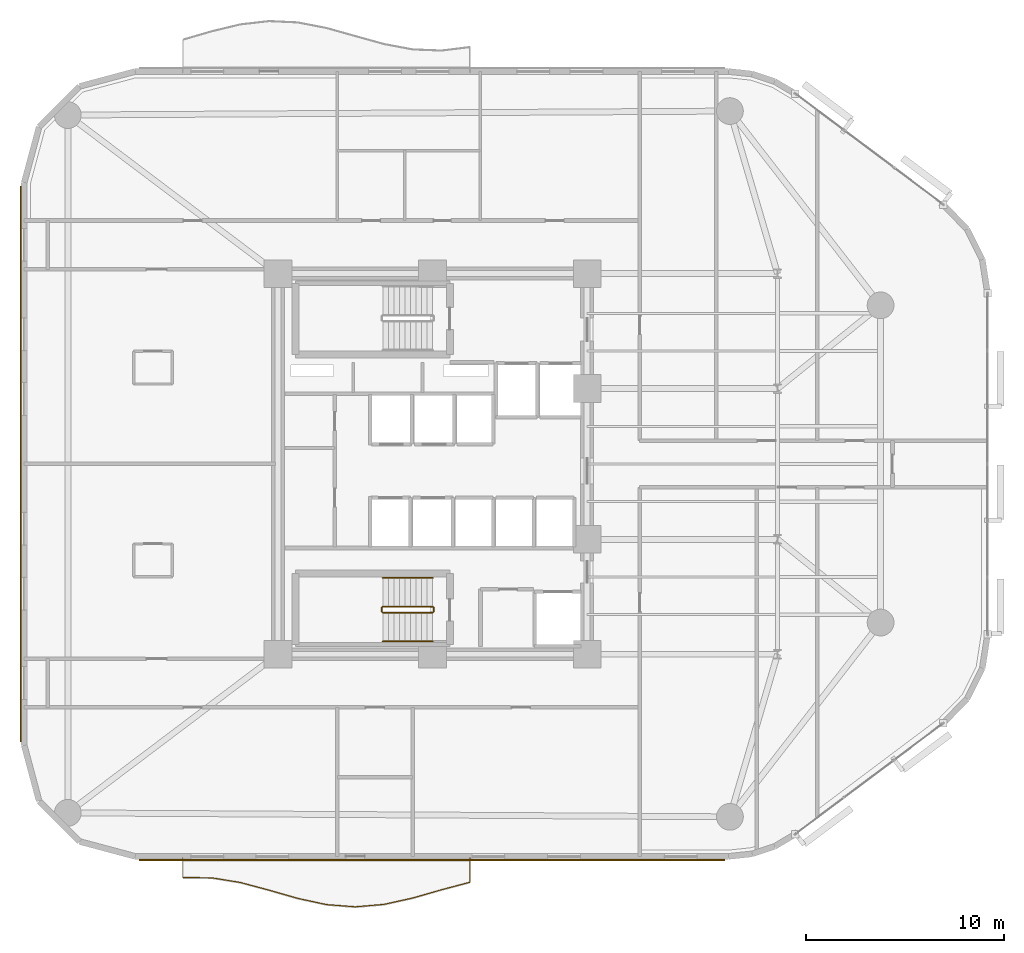
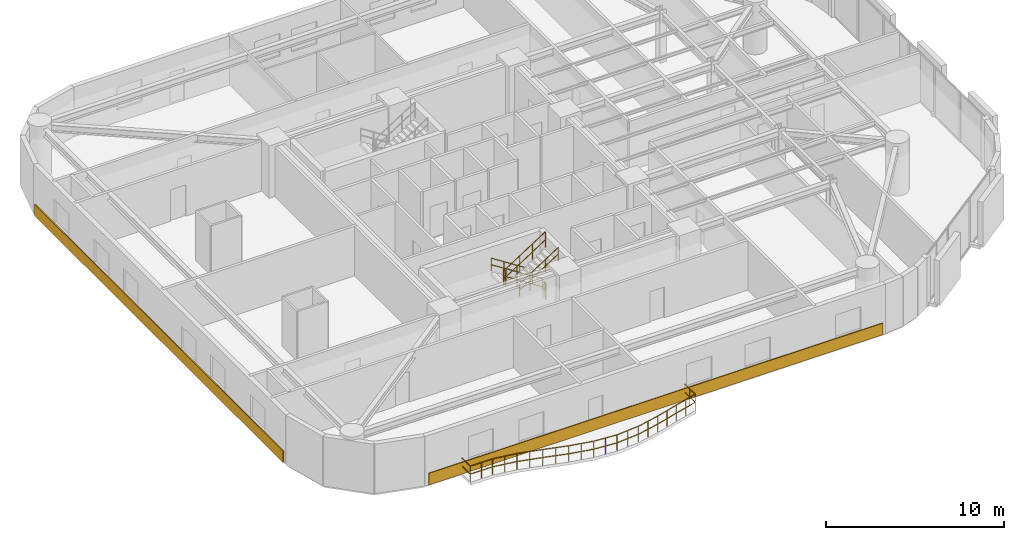
# One storey, part 14 of 16: 7 railings, 2 coverings.
"""IFC4 building model written with IfcOpenShell, lengths in metres."""

from ifc_helpers import new_model, si_unit, direction, frame, origin, origin_2d, place, context, subcontext, project, spatial, rectangle, circle, extrude, material, layer, layer_set, type_object, element, save


model = new_model("IFC4")

# Units and contexts
model_context = context("Model", 3, precision=1e-05, world=origin(), true_north=direction((0.0, 1.0)))
body_context = subcontext(model_context, "Body", "Model", "MODEL_VIEW")
ifc_project = project(units=[si_unit("LENGTHUNIT", "METRE"), si_unit("AREAUNIT", "SQUARE_METRE"), si_unit("VOLUMEUNIT", "CUBIC_METRE"), si_unit("PLANEANGLEUNIT", "RADIAN"), si_unit("MASSUNIT", "GRAM", prefix="KILO")], contexts=[model_context])

# Site, building, storey
site_placement = place(None, origin())
site = spatial("IfcSite", under=ifc_project, at=site_placement, CompositionType="ELEMENT")
building_placement = place(site_placement, origin())
building = spatial("IfcBuilding", under=site, at=building_placement, Name="An Khanh Terracotta Commons", CompositionType="ELEMENT")
storey_placement = place(building_placement, frame((0.0, 0.0, 111.5)))
storey = spatial("IfcBuildingStorey", under=building, at=storey_placement, Name="L29", CompositionType="ELEMENT", Elevation=111.5)

# Coverings
ifc_material_1 = material(Name="Fired Terracotta Rainscreen Cladding", Category="masonry")
ifc_layer = layer(ifc_material_1, 0.06005859375, Name="Fired Terracotta Rainscreen Cladding")
ifc_layer_set = layer_set([ifc_layer], Name="Fired Terracotta Rainscreen Cladding")
covering_type = type_object("IfcCoveringType", Name="COV-SPANDREL-TERRA", PredefinedType="CLADDING", material=ifc_layer_set)
covering_1_placement = place(storey_placement, frame((29.365966796875, 4.02001953125, 0.02001953125), z_axis=(0.0, 0.0, 1.0), x_axis=(1.0, 0.0, 0.0)))
element("IfcCovering", 1, at=covering_1_placement, inside=storey, type_object=covering_type, Name="L29 Terracotta Spandrel Cladding 4", PredefinedType="CLADDING", context=body_context, shape_type="SweptSolid", body=[
    extrude(rectangle(XDim=29.532958984375, YDim=0.06005859375, at=origin_2d()), origin(), (0.0, 0.0, 1.0), 0.800048828125),
])
covering_2_placement = place(storey_placement, frame((8.6201171875, 24.0, 0.02001953125), z_axis=(0.0, 0.0, 1.0), x_axis=(0.0, -1.0, 0.0)))
element("IfcCovering", 2, at=covering_2_placement, inside=storey, type_object=covering_type, Name="L29 Terracotta Spandrel Cladding 24", PredefinedType="CLADDING", context=body_context, shape_type="SweptSolid", body=[
    extrude(rectangle(XDim=28.0, YDim=0.06005859375, at=origin_2d()), origin(), (0.0, 0.0, 1.0), 0.800048828125),
])

# Railings
ifc_material_2 = material(Name="Brushed Stainless Steel 316", Category="steel")
railing_type_1 = type_object("IfcRailingType", Name="RAIL-BALUSTRADE-1100", PredefinedType="BALUSTRADE", material=ifc_material_2)
railing_1_placement = place(storey_placement, frame((16.800048828125, 4.139892578125, 0.0)))
element("IfcRailing", 3, at=railing_1_placement, inside=storey, type_object=railing_type_1, Name="L29 S Wave Balcony Guard Balustrade", PredefinedType="BALUSTRADE", context=body_context, shape_type="SweptSolid", body=[
    extrude(circle(Radius=0.02392578125, at=origin_2d()), frame((0.0, 0.0, 1.076171875), z_axis=(0.0, -1.0, 0.0), x_axis=(1.0, 0.0, 0.0)), (0.0, 0.0, 1.0), 1.005859375),
    extrude(circle(Radius=0.02392578125, at=origin_2d()), frame((0.0, 0.0, 0.52587890625), z_axis=(0.0, -1.0, 0.0), x_axis=(1.0, 0.0, 0.0)), (0.0, 0.0, 1.0), 1.005859375),
    extrude(circle(Radius=0.02392578125, at=origin_2d()), frame((0.0, -1.005859375, 1.076171875), z_axis=(0.999980594083, -0.006229884152, 0.0), x_axis=(0.006229884152, 0.999980594083, 0.0)), (0.0, 0.0, 1.0), 1.449951171875),
    extrude(circle(Radius=0.02392578125, at=origin_2d()), frame((0.0, -1.005859375, 0.52587890625), z_axis=(0.999980594083, -0.006229884152, 0.0), x_axis=(0.006229884152, 0.999980594083, 0.0)), (0.0, 0.0, 1.0), 1.449951171875),
    extrude(circle(Radius=0.02392578125, at=origin_2d()), frame((1.449951171875, -1.014892578125, 1.076171875), z_axis=(0.987107607012, -0.160058027539, 0.0), x_axis=(0.160058027539, 0.987107607012, 0.0)), (0.0, 0.0, 1.0), 1.468994140625),
    extrude(circle(Radius=0.02392578125, at=origin_2d()), frame((1.449951171875, -1.014892578125, 0.52587890625), z_axis=(0.987107607012, -0.160058027539, 0.0), x_axis=(0.160058027539, 0.987107607012, 0.0)), (0.0, 0.0, 1.0), 1.468994140625),
    extrude(circle(Radius=0.02392578125, at=origin_2d()), frame((2.89990234375, -1.25, 1.076171875), z_axis=(0.966183617433, -0.257855031761, 0.0), x_axis=(0.257855031761, 0.966183617433, 0.0)), (0.0, 0.0, 1.0), 1.500732421875),
    extrude(circle(Radius=0.02392578125, at=origin_2d()), frame((2.89990234375, -1.25, 0.52587890625), z_axis=(0.966183617433, -0.257855031761, 0.0), x_axis=(0.257855031761, 0.966183617433, 0.0)), (0.0, 0.0, 1.0), 1.500732421875),
    extrude(circle(Radius=0.02392578125, at=origin_2d()), frame((4.349853515625, -1.636962890625, 1.076171875), z_axis=(0.961230286482, -0.275746870062, 0.0), x_axis=(0.275746870062, 0.961230286482, 0.0)), (0.0, 0.0, 1.0), 1.5087890625),
    extrude(circle(Radius=0.02392578125, at=origin_2d()), frame((4.349853515625, -1.636962890625, 0.52587890625), z_axis=(0.961230286482, -0.275746870062, 0.0), x_axis=(0.275746870062, 0.961230286482, 0.0)), (0.0, 0.0, 1.0), 1.5087890625),
    extrude(circle(Radius=0.02392578125, at=origin_2d()), frame((5.800048828125, -2.052978515625, 1.076171875), z_axis=(0.977349810179, -0.211630216516, 0.0), x_axis=(0.211630216516, 0.977349810179, 0.0)), (0.0, 0.0, 1.0), 1.483642578125),
    extrude(circle(Radius=0.02392578125, at=origin_2d()), frame((5.800048828125, -2.052978515625, 0.52587890625), z_axis=(0.977349810179, -0.211630216516, 0.0), x_axis=(0.211630216516, 0.977349810179, 0.0)), (0.0, 0.0, 1.0), 1.483642578125),
    extrude(circle(Radius=0.02392578125, at=origin_2d()), frame((7.25, -2.366943359375, 1.076171875), z_axis=(0.996974959363, -0.077723422493, 0.0), x_axis=(0.077723422493, 0.996974959363, 0.0)), (0.0, 0.0, 1.0), 1.454345703125),
    extrude(circle(Radius=0.02392578125, at=origin_2d()), frame((7.25, -2.366943359375, 0.52587890625), z_axis=(0.996974959363, -0.077723422493, 0.0), x_axis=(0.077723422493, 0.996974959363, 0.0)), (0.0, 0.0, 1.0), 1.454345703125),
    extrude(circle(Radius=0.02392578125, at=origin_2d()), frame((8.699951171875, -2.47998046875, 1.076171875), z_axis=(0.996361724261, 0.085225080977, 0.0), x_axis=(-0.085225080977, 0.996361724261, 0.0)), (0.0, 0.0, 1.0), 1.455322265625),
    extrude(circle(Radius=0.02392578125, at=origin_2d()), frame((8.699951171875, -2.47998046875, 0.52587890625), z_axis=(0.996361724261, 0.085225080977, 0.0), x_axis=(-0.085225080977, 0.996361724261, 0.0)), (0.0, 0.0, 1.0), 1.455322265625),
    extrude(circle(Radius=0.02392578125, at=origin_2d()), frame((10.14990234375, -2.35595703125, 1.076171875), z_axis=(0.976353104199, 0.216181904701, 0.0), x_axis=(-0.216181904701, 0.976353104199, 0.0)), (0.0, 0.0, 1.0), 1.485107421875),
    extrude(circle(Radius=0.02392578125, at=origin_2d()), frame((10.14990234375, -2.35595703125, 0.52587890625), z_axis=(0.976353104199, 0.216181904701, 0.0), x_axis=(-0.216181904701, 0.976353104199, 0.0)), (0.0, 0.0, 1.0), 1.485107421875),
    extrude(circle(Radius=0.02392578125, at=origin_2d()), frame((11.599853515625, -2.034912109375, 1.076171875), z_axis=(0.961058562056, 0.276344785184, 0.0), x_axis=(-0.276344785184, 0.961058562056, 0.0)), (0.0, 0.0, 1.0), 1.509033203125),
    extrude(circle(Radius=0.02392578125, at=origin_2d()), frame((11.599853515625, -2.034912109375, 0.52587890625), z_axis=(0.961058562056, 0.276344785184, 0.0), x_axis=(-0.276344785184, 0.961058562056, 0.0)), (0.0, 0.0, 1.0), 1.509033203125),
    extrude(circle(Radius=0.02392578125, at=origin_2d()), frame((13.050048828125, -1.617919921875, 1.076171875), z_axis=(0.966829478834, 0.255422706228, 0.0), x_axis=(-0.255422706228, 0.966829478834, 0.0)), (0.0, 0.0, 1.0), 1.499755859375),
    extrude(circle(Radius=0.02392578125, at=origin_2d()), frame((13.050048828125, -1.617919921875, 0.52587890625), z_axis=(0.966829478834, 0.255422706228, 0.0), x_axis=(-0.255422706228, 0.966829478834, 0.0)), (0.0, 0.0, 1.0), 1.499755859375),
    extrude(circle(Radius=0.02392578125, at=origin_2d()), frame((14.5, -1.23486328125, 1.076171875), z_axis=(0.0, 1.0, 0.0), x_axis=(-1.0, 0.0, 0.0)), (0.0, 0.0, 1.0), 1.23486328125),
    extrude(circle(Radius=0.02392578125, at=origin_2d()), frame((14.5, -1.23486328125, 0.52587890625), z_axis=(0.0, 1.0, 0.0), x_axis=(-1.0, 0.0, 0.0)), (0.0, 0.0, 1.0), 1.23486328125),
    extrude(circle(Radius=0.02099609375, at=origin_2d()), origin(), (0.0, 0.0, 1.0), 1.052001953125),
    extrude(circle(Radius=0.02099609375, at=origin_2d()), frame((0.0, -1.005859375, 0.0)), (0.0, 0.0, 1.0), 1.052001953125),
    extrude(circle(Radius=0.02099609375, at=origin_2d()), frame((0.72509765625, -1.01025390625, 0.0)), (0.0, 0.0, 1.0), 1.052001953125),
    extrude(circle(Radius=0.02099609375, at=origin_2d()), frame((1.449951171875, -1.014892578125, 0.0)), (0.0, 0.0, 1.0), 1.052001953125),
    extrude(circle(Radius=0.02099609375, at=origin_2d()), frame((2.1748046875, -1.13232421875, 0.0)), (0.0, 0.0, 1.0), 1.052001953125),
    extrude(circle(Radius=0.02099609375, at=origin_2d()), frame((2.89990234375, -1.25, 0.0)), (0.0, 0.0, 1.0), 1.052001953125),
    extrude(circle(Radius=0.02099609375, at=origin_2d()), frame((3.625, -1.443359375, 0.0)), (0.0, 0.0, 1.0), 1.052001953125),
    extrude(circle(Radius=0.02099609375, at=origin_2d()), frame((4.349853515625, -1.636962890625, 0.0)), (0.0, 0.0, 1.0), 1.052001953125),
    extrude(circle(Radius=0.02099609375, at=origin_2d()), frame((5.074951171875, -1.844970703125, 0.0)), (0.0, 0.0, 1.0), 1.052001953125),
    extrude(circle(Radius=0.02099609375, at=origin_2d()), frame((5.800048828125, -2.052978515625, 0.0)), (0.0, 0.0, 1.0), 1.052001953125),
    extrude(circle(Radius=0.02099609375, at=origin_2d()), frame((6.52490234375, -2.2099609375, 0.0)), (0.0, 0.0, 1.0), 1.052001953125),
    extrude(circle(Radius=0.02099609375, at=origin_2d()), frame((7.25, -2.366943359375, 0.0)), (0.0, 0.0, 1.0), 1.052001953125),
    extrude(circle(Radius=0.02099609375, at=origin_2d()), frame((7.97509765625, -2.42333984375, 0.0)), (0.0, 0.0, 1.0), 1.052001953125),
    extrude(circle(Radius=0.02099609375, at=origin_2d()), frame((8.699951171875, -2.47998046875, 0.0)), (0.0, 0.0, 1.0), 1.052001953125),
    extrude(circle(Radius=0.02099609375, at=origin_2d()), frame((9.4248046875, -2.41796875, 0.0)), (0.0, 0.0, 1.0), 1.052001953125),
    extrude(circle(Radius=0.02099609375, at=origin_2d()), frame((10.14990234375, -2.35595703125, 0.0)), (0.0, 0.0, 1.0), 1.052001953125),
    extrude(circle(Radius=0.02099609375, at=origin_2d()), frame((10.875, -2.1953125, 0.0)), (0.0, 0.0, 1.0), 1.052001953125),
    extrude(circle(Radius=0.02099609375, at=origin_2d()), frame((11.599853515625, -2.034912109375, 0.0)), (0.0, 0.0, 1.0), 1.052001953125),
    extrude(circle(Radius=0.02099609375, at=origin_2d()), frame((12.324951171875, -1.826416015625, 0.0)), (0.0, 0.0, 1.0), 1.052001953125),
    extrude(circle(Radius=0.02099609375, at=origin_2d()), frame((13.050048828125, -1.617919921875, 0.0)), (0.0, 0.0, 1.0), 1.052001953125),
    extrude(circle(Radius=0.02099609375, at=origin_2d()), frame((13.77490234375, -1.42626953125, 0.0)), (0.0, 0.0, 1.0), 1.052001953125),
    extrude(circle(Radius=0.02099609375, at=origin_2d()), frame((14.5, -1.23486328125, 0.0)), (0.0, 0.0, 1.0), 1.052001953125),
    extrude(circle(Radius=0.02099609375, at=origin_2d()), frame((14.5, -0.617431640625, 0.0)), (0.0, 0.0, 1.0), 1.052001953125),
    extrude(circle(Radius=0.02099609375, at=origin_2d()), frame((14.5, 0.0, 0.0)), (0.0, 0.0, 1.0), 1.052001953125),
])
railing_type_2 = type_object("IfcRailingType", Name="RAIL-HANDRAIL-900", PredefinedType="HANDRAIL", material=ifc_material_2)
railing_2_placement = place(storey_placement, frame((29.409912109375, 18.25, 0.179931640625)))
element("IfcRailing", 4, at=railing_2_placement, inside=storey, type_object=railing_type_2, Name="L29 ST-02 stair handrail 1", PredefinedType="HANDRAIL", context=body_context, shape_type="SweptSolid", body=[
    extrude(circle(Radius=0.02392578125, at=origin_2d()), frame((0.0, 0.0, 0.8759765625), z_axis=(-0.841162588446, 0.0, 0.540782303519), x_axis=(0.0, -1.0, 0.0)), (0.0, 0.0, 1.0), 2.995849609375),
    extrude(circle(Radius=0.02392578125, at=origin_2d()), frame((0.0, 0.0, 0.42578125), z_axis=(-0.841162588446, 0.0, 0.540782303519), x_axis=(0.0, -1.0, 0.0)), (0.0, 0.0, 1.0), 2.995849609375),
    extrude(circle(Radius=0.02099609375, at=origin_2d()), origin(), (0.0, 0.0, 1.0), 0.851806640625),
    extrude(circle(Radius=0.02099609375, at=origin_2d()), frame((-0.840087890625, 0.0, 0.5400390625)), (0.0, 0.0, 1.0), 0.851806640625),
    extrude(circle(Radius=0.02099609375, at=origin_2d()), frame((-1.679931640625, 0.0, 1.080078125)), (0.0, 0.0, 1.0), 0.851806640625),
    extrude(circle(Radius=0.02099609375, at=origin_2d()), frame((-2.52001953125, 0.0, 1.6201171875)), (0.0, 0.0, 1.0), 0.851806640625),
])
railing_3_placement = place(storey_placement, frame((26.889892578125, 15.050048828125, 1.97998046875)))
element("IfcRailing", 5, at=railing_3_placement, inside=storey, type_object=railing_type_2, Name="L29 ST-02 stair handrail 2", PredefinedType="HANDRAIL", context=body_context, shape_type="SweptSolid", body=[
    extrude(circle(Radius=0.02392578125, at=origin_2d()), frame((0.0, 0.0, 0.8759765625), z_axis=(0.841162588446, 0.0, 0.540782303519), x_axis=(0.0, 1.0, 0.0)), (0.0, 0.0, 1.0), 2.995849609375),
    extrude(circle(Radius=0.02392578125, at=origin_2d()), frame((0.0, 0.0, 0.42578125), z_axis=(0.841162588446, 0.0, 0.540782303519), x_axis=(0.0, 1.0, 0.0)), (0.0, 0.0, 1.0), 2.995849609375),
    extrude(circle(Radius=0.02099609375, at=origin_2d()), origin(), (0.0, 0.0, 1.0), 0.851806640625),
    extrude(circle(Radius=0.02099609375, at=origin_2d()), frame((0.840087890625, 0.0, 0.5400390625)), (0.0, 0.0, 1.0), 0.851806640625),
    extrude(circle(Radius=0.02099609375, at=origin_2d()), frame((1.679931640625, 0.0, 1.080078125)), (0.0, 0.0, 1.0), 0.851806640625),
    extrude(circle(Radius=0.02099609375, at=origin_2d()), frame((2.52001953125, 0.0, 1.6201171875)), (0.0, 0.0, 1.0), 0.851806640625),
])
ifc_material_3 = material(Name="Powder-Coated Steel S355J2", Category="steel")
railing_type_3 = type_object("IfcRailingType", Name="RAIL-STAIR-GUARD-1100", PredefinedType="BALUSTRADE", material=ifc_material_3)
railing_4_placement = place(storey_placement, frame((29.409912109375, 16.800048828125, 0.179931640625)))
element("IfcRailing", 6, at=railing_4_placement, inside=storey, type_object=railing_type_3, Name="L29 ST-02 stair guard 1", PredefinedType="BALUSTRADE", context=body_context, shape_type="SweptSolid", body=[
    extrude(circle(Radius=0.02392578125, at=origin_2d()), frame((0.0, 0.0, 1.076171875), z_axis=(-0.841162588446, 0.0, 0.540782303519), x_axis=(0.0, -1.0, 0.0)), (0.0, 0.0, 1.0), 2.995849609375),
    extrude(circle(Radius=0.02392578125, at=origin_2d()), frame((0.0, 0.0, 0.52587890625), z_axis=(-0.841162588446, 0.0, 0.540782303519), x_axis=(0.0, -1.0, 0.0)), (0.0, 0.0, 1.0), 2.995849609375),
    extrude(circle(Radius=0.02099609375, at=origin_2d()), origin(), (0.0, 0.0, 1.0), 1.052001953125),
    extrude(circle(Radius=0.02099609375, at=origin_2d()), frame((-0.840087890625, 0.0, 0.5400390625)), (0.0, 0.0, 1.0), 1.052001953125),
    extrude(circle(Radius=0.02099609375, at=origin_2d()), frame((-1.679931640625, 0.0, 1.080078125)), (0.0, 0.0, 1.0), 1.052001953125),
    extrude(circle(Radius=0.02099609375, at=origin_2d()), frame((-2.52001953125, 0.0, 1.6201171875)), (0.0, 0.0, 1.0), 1.052001953125),
])
railing_5_placement = place(storey_placement, frame((26.840087890625, 16.75, 1.800048828125)))
element("IfcRailing", 7, at=railing_5_placement, inside=storey, type_object=railing_type_3, Name="L29 ST-02 stair guard 2", PredefinedType="BALUSTRADE", context=body_context, shape_type="SweptSolid", body=[
    extrude(circle(Radius=0.02392578125, at=origin_2d()), frame((0.0, 0.0, 1.076171875), z_axis=(0.0, -1.0, 0.0), x_axis=(1.0, 0.0, 0.0)), (0.0, 0.0, 1.0), 0.199951171875),
    extrude(circle(Radius=0.02392578125, at=origin_2d()), frame((0.0, 0.0, 0.52587890625), z_axis=(0.0, -1.0, 0.0), x_axis=(1.0, 0.0, 0.0)), (0.0, 0.0, 1.0), 0.199951171875),
    extrude(circle(Radius=0.02099609375, at=origin_2d()), origin(), (0.0, 0.0, 1.0), 1.052001953125),
    extrude(circle(Radius=0.02099609375, at=origin_2d()), frame((0.0, -0.199951171875, 0.0)), (0.0, 0.0, 1.0), 1.052001953125),
])
railing_6_placement = place(storey_placement, frame((26.889892578125, 16.5, 1.97998046875)))
element("IfcRailing", 8, at=railing_6_placement, inside=storey, type_object=railing_type_3, Name="L29 ST-02 stair guard 3", PredefinedType="BALUSTRADE", context=body_context, shape_type="SweptSolid", body=[
    extrude(circle(Radius=0.02392578125, at=origin_2d()), frame((0.0, 0.0, 1.076171875), z_axis=(0.841162588446, 0.0, 0.540782303519), x_axis=(0.0, 1.0, 0.0)), (0.0, 0.0, 1.0), 2.995849609375),
    extrude(circle(Radius=0.02392578125, at=origin_2d()), frame((0.0, 0.0, 0.52587890625), z_axis=(0.841162588446, 0.0, 0.540782303519), x_axis=(0.0, 1.0, 0.0)), (0.0, 0.0, 1.0), 2.995849609375),
    extrude(circle(Radius=0.02099609375, at=origin_2d()), origin(), (0.0, 0.0, 1.0), 1.052001953125),
    extrude(circle(Radius=0.02099609375, at=origin_2d()), frame((0.840087890625, 0.0, 0.5400390625)), (0.0, 0.0, 1.0), 1.052001953125),
    extrude(circle(Radius=0.02099609375, at=origin_2d()), frame((1.679931640625, 0.0, 1.080078125)), (0.0, 0.0, 1.0), 1.052001953125),
    extrude(circle(Radius=0.02099609375, at=origin_2d()), frame((2.52001953125, 0.0, 1.6201171875)), (0.0, 0.0, 1.0), 1.052001953125),
])
railing_7_placement = place(storey_placement, frame((29.4599609375, 16.75, 0.0)))
element("IfcRailing", 9, at=railing_7_placement, inside=storey, type_object=railing_type_3, Name="L29 ST-02 stair guard 4", PredefinedType="BALUSTRADE", context=body_context, shape_type="SweptSolid", body=[
    extrude(circle(Radius=0.02392578125, at=origin_2d()), frame((0.0, 0.0, 1.076171875), z_axis=(0.0, -1.0, 0.0), x_axis=(1.0, 0.0, 0.0)), (0.0, 0.0, 1.0), 0.199951171875),
    extrude(circle(Radius=0.02392578125, at=origin_2d()), frame((0.0, 0.0, 0.52587890625), z_axis=(0.0, -1.0, 0.0), x_axis=(1.0, 0.0, 0.0)), (0.0, 0.0, 1.0), 0.199951171875),
    extrude(circle(Radius=0.02099609375, at=origin_2d()), origin(), (0.0, 0.0, 1.0), 1.052001953125),
    extrude(circle(Radius=0.02099609375, at=origin_2d()), frame((0.0, -0.199951171875, 0.0)), (0.0, 0.0, 1.0), 1.052001953125),
])

save(model, "model.ifc")
